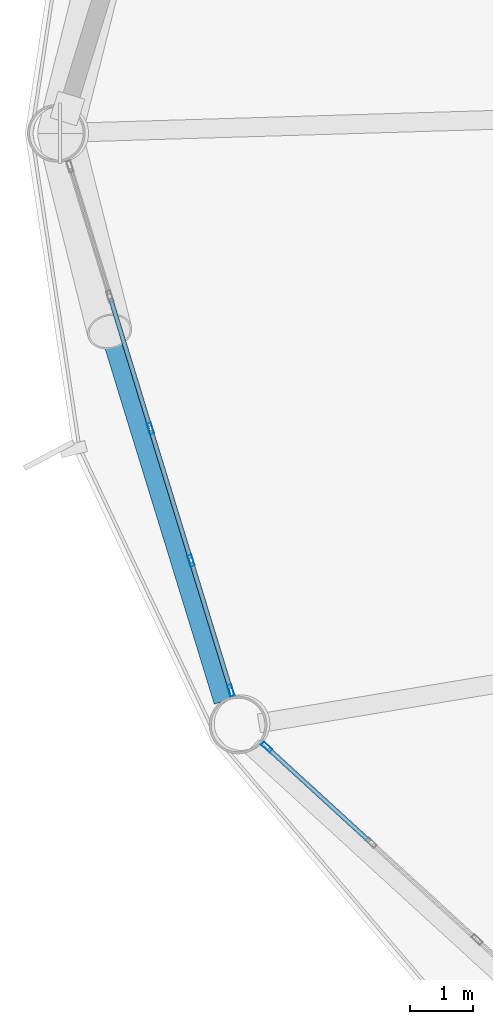
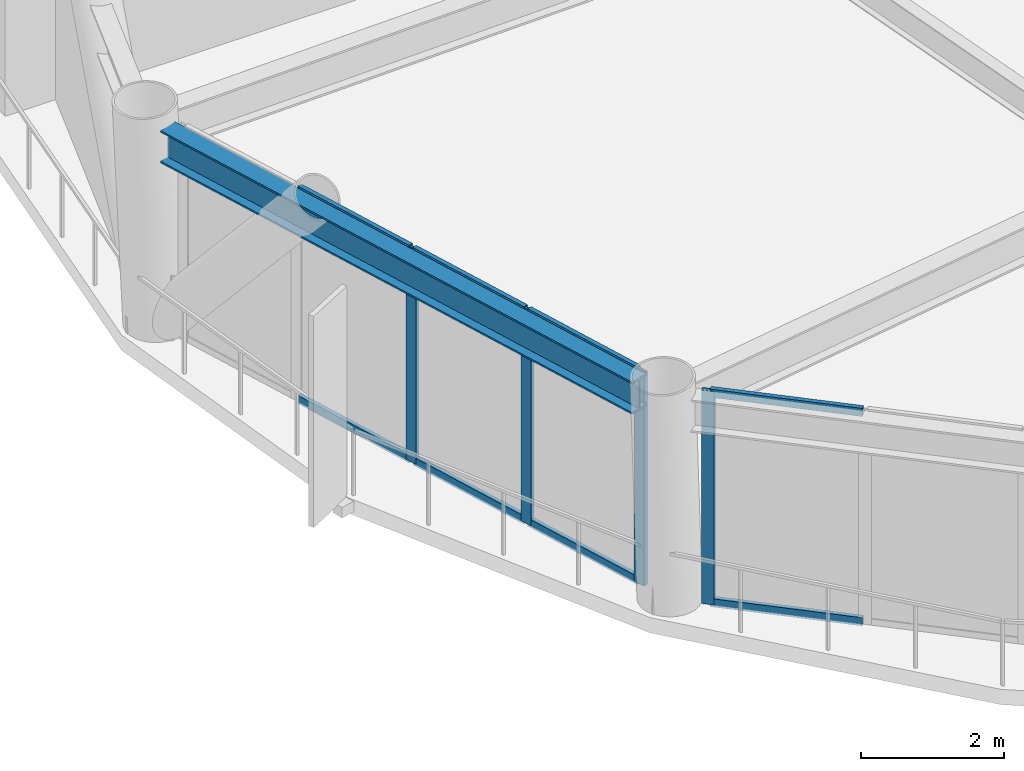
# One storey, part 5 of 25: 12 members, 1 beam, 2 elements without a shape of their own.
"""IFC4 building model written with IfcOpenShell, lengths in metres."""

from ifc_helpers import new_model, si_unit, direction, frame, origin, origin_2d, place, context, subcontext, project, spatial, hollow_rectangle, i_section, extrude, material, layer, layer_set, material_profile, profile_set, type_object, element, aggregate, save


model = new_model("IFC4")

# Units and contexts
model_context = context("Model", 3, precision=1e-05, world=origin(), true_north=direction((0.0, 1.0)))
body_context = subcontext(model_context, "Body", "Model", "MODEL_VIEW")
ifc_project = project(units=[si_unit("LENGTHUNIT", "METRE"), si_unit("AREAUNIT", "SQUARE_METRE"), si_unit("VOLUMEUNIT", "CUBIC_METRE"), si_unit("PLANEANGLEUNIT", "RADIAN"), si_unit("MASSUNIT", "GRAM", prefix="KILO")], contexts=[model_context])

# Site, building, storey
site_placement = place(None, origin())
site = spatial("IfcSite", under=ifc_project, at=site_placement, CompositionType="ELEMENT")
building_placement = place(site_placement, origin())
building = spatial("IfcBuilding", under=site, at=building_placement, Name="Varnakorn Sky Granary", CompositionType="ELEMENT")
storey_placement = place(building_placement, frame((0.0, 0.0, 39.300048828125)))
storey = spatial("IfcBuildingStorey", under=building, at=storey_placement, Name="L09", CompositionType="ELEMENT", Elevation=39.300048828125)

# Beam
ifc_material_1 = material(Name="Steel S355JR", Category="steel")
ifc_material_profile_1 = material_profile(ifc_material_1, i_section(OverallWidth=0.300048828125, OverallDepth=0.550048828125, WebThickness=0.014892578125, FlangeThickness=0.029052734375, at=origin_2d()), Name="HE 550 B")
ifc_profile_set_1 = profile_set([ifc_material_profile_1], Name="Steel S355JR")
beam_type = type_object("IfcBeamType", Name="BM-SPD-Z1", PredefinedType="SPANDREL", material=ifc_profile_set_1)
beam_placement = place(storey_placement, frame((-22.152099609375, -0.422607421875, 3.364990234375), z_axis=(0.293719576527, -0.955891631078, 0.0), x_axis=(0.955891631078, 0.293719576527, 0.0)))
element("IfcBeam", 1, at=beam_placement, inside=storey, type_object=beam_type, Name="Perimeter Spandrel Ring Beam RB07 L09", PredefinedType="SPANDREL", context=body_context, shape_type="SweptSolid", body=[
    extrude(i_section(OverallWidth=0.300048828125, OverallDepth=0.550048828125, WebThickness=0.014892578125, FlangeThickness=0.029052734375, at=origin_2d()), origin(), (0.0, 0.0, 1.0), 8.99365234375),
])

# Curtain wall, members
ifc_material_2 = material(Name="Anodised Bronze Aluminium Alloy 6063-T6", Category="aluminium")
ifc_layer = layer(ifc_material_2, 0.18994140625, Name="Anodised Bronze Aluminium Alloy 6063-T6")
ifc_layer_set = layer_set([ifc_layer], Name="Anodised Bronze Aluminium Alloy 6063-T6")
curtain_wall_type = type_object("IfcCurtainWallType", Name="CW-FRM-1", PredefinedType="USERDEFINED", material=ifc_layer_set)
curtain_wall_1_placement = place(storey_placement, origin())
curtain_wall_1 = element("IfcCurtainWall", 2, at=curtain_wall_1_placement, inside=storey, type_object=curtain_wall_type, Name="Unitised Curtain Wall CW3 CW-L09-B07", ObjectType="CURTAIN WALL", PredefinedType="USERDEFINED")
ifc_material_profile_2 = material_profile(ifc_material_2, hollow_rectangle(XDim=0.070068359375, YDim=0.18505859375, WallThickness=0.00390625, at=origin_2d()), Name="ALU MULL 70x185")
ifc_profile_set_2 = profile_set([ifc_material_profile_2], Name="Anodised Bronze Aluminium Alloy 6063-T6")
member_type_1 = type_object("IfcMemberType", Name="CW-FRM-1-MULL", PredefinedType="MULLION", material=ifc_profile_set_2)
member_1_placement = place(storey_placement, frame((-19.390380859375, -8.846435546875, 0.0), z_axis=(0.0, 0.0, 1.0), x_axis=(-0.955970574446, -0.293462537291, 0.0)))
member_1 = element("IfcMember", 3, at=member_1_placement, type_object=member_type_1, Name="CW3 mullion 1", PredefinedType="MULLION", context=body_context, shape_type="SweptSolid", body=[
    extrude(hollow_rectangle(XDim=0.070068359375, YDim=0.18505859375, WallThickness=0.00390625, at=origin_2d()), origin(), (0.0, 0.0, 1.0), 3.639892578125),
])
member_2_placement = place(storey_placement, frame((-20.023681640625, -6.783447265625, 0.0), z_axis=(0.0, 0.0, 1.0), x_axis=(-0.955970574446, -0.293462537291, 0.0)))
member_2 = element("IfcMember", 4, at=member_2_placement, type_object=member_type_1, Name="CW3 mullion 2", PredefinedType="MULLION", context=body_context, shape_type="SweptSolid", body=[
    extrude(hollow_rectangle(XDim=0.070068359375, YDim=0.18505859375, WallThickness=0.00390625, at=origin_2d()), origin(), (0.0, 0.0, 1.0), 3.639892578125),
])
member_3_placement = place(storey_placement, frame((-20.667236328125, -4.68701171875, 0.0), z_axis=(0.0, 0.0, 1.0), x_axis=(-0.955970574446, -0.293462537291, 0.0)))
member_3 = element("IfcMember", 5, at=member_3_placement, type_object=member_type_1, Name="CW3 mullion 3", PredefinedType="MULLION", context=body_context, shape_type="SweptSolid", body=[
    extrude(hollow_rectangle(XDim=0.070068359375, YDim=0.18505859375, WallThickness=0.00390625, at=origin_2d()), origin(), (0.0, 0.0, 1.0), 3.639892578125),
])

# Curtain wall, member
curtain_wall_2_placement = place(storey_placement, origin())
curtain_wall_2 = element("IfcCurtainWall", 6, at=curtain_wall_2_placement, inside=storey, type_object=curtain_wall_type, Name="Unitised Curtain Wall CW3 CW-L09-B08", ObjectType="CURTAIN WALL", PredefinedType="USERDEFINED")
member_4_placement = place(storey_placement, frame((-18.8212890625, -9.746826171875, 0.0), z_axis=(0.0, 0.0, 1.0), x_axis=(-0.675388643465, -0.73746198565, 0.0)))
member_4 = element("IfcMember", 7, at=member_4_placement, type_object=member_type_1, Name="CW3 mullion 5", PredefinedType="MULLION", context=body_context, shape_type="SweptSolid", body=[
    extrude(hollow_rectangle(XDim=0.070068359375, YDim=0.18505859375, WallThickness=0.00390625, at=origin_2d()), origin(), (0.0, 0.0, 1.0), 3.639892578125),
])

# Member
ifc_material_profile_3 = material_profile(ifc_material_2, hollow_rectangle(XDim=0.070068359375, YDim=0.139892578125, WallThickness=0.00341796875, at=origin_2d()), Name="ALU TRAN 70x140")
ifc_profile_set_3 = profile_set([ifc_material_profile_3], Name="Anodised Bronze Aluminium Alloy 6063-T6")
member_type_2 = type_object("IfcMemberType", Name="CW-FRM-1-TRAN", PredefinedType="USERDEFINED", material=ifc_profile_set_3)
member_5_placement = place(storey_placement, frame((-19.400634765625, -8.81298828125, 0.034912109375), z_axis=(-0.293477787544, 0.955965892811, 0.0), x_axis=(-0.955965892811, -0.293477787544, 0.0)))
member_5 = element("IfcMember", 8, at=member_5_placement, type_object=member_type_2, Name="CW3 transom 1.1", ObjectType="TRANSOM", PredefinedType="USERDEFINED", context=body_context, shape_type="SweptSolid", body=[
    extrude(hollow_rectangle(XDim=0.070068359375, YDim=0.139892578125, WallThickness=0.00341796875, at=origin_2d()), origin(), (0.0, 0.0, 1.0), 2.088134765625),
])

member_6_placement = place(storey_placement, frame((-19.400634765625, -8.81298828125, 3.60498046875), z_axis=(-0.293477787544, 0.955965892811, 0.0), x_axis=(-0.955965892811, -0.293477787544, 0.0)))
member_6 = element("IfcMember", 9, at=member_6_placement, type_object=member_type_2, Name="CW3 transom 1.2", ObjectType="TRANSOM", PredefinedType="USERDEFINED", context=body_context, shape_type="SweptSolid", body=[
    extrude(hollow_rectangle(XDim=0.070068359375, YDim=0.139892578125, WallThickness=0.00341796875, at=origin_2d()), origin(), (0.0, 0.0, 1.0), 2.088134765625),
])

member_7_placement = place(storey_placement, frame((-20.033935546875, -6.75, 0.034912109375), z_axis=(-0.293471643452, 0.955967779002, 0.0), x_axis=(-0.955967779002, -0.293471643452, 0.0)))
member_7 = element("IfcMember", 10, at=member_7_placement, type_object=member_type_2, Name="CW3 transom 2.1", ObjectType="TRANSOM", PredefinedType="USERDEFINED", context=body_context, shape_type="SweptSolid", body=[
    extrude(hollow_rectangle(XDim=0.070068359375, YDim=0.139892578125, WallThickness=0.00341796875, at=origin_2d()), origin(), (0.0, 0.0, 1.0), 2.123046875),
])

member_8_placement = place(storey_placement, frame((-20.033935546875, -6.75, 3.60498046875), z_axis=(-0.293471643452, 0.955967779002, 0.0), x_axis=(-0.955967779002, -0.293471643452, 0.0)))
member_8 = element("IfcMember", 11, at=member_8_placement, type_object=member_type_2, Name="CW3 transom 2.2", ObjectType="TRANSOM", PredefinedType="USERDEFINED", context=body_context, shape_type="SweptSolid", body=[
    extrude(hollow_rectangle(XDim=0.070068359375, YDim=0.139892578125, WallThickness=0.00341796875, at=origin_2d()), origin(), (0.0, 0.0, 1.0), 2.123046875),
])

member_9_placement = place(storey_placement, frame((-20.677490234375, -4.653564453125, 0.034912109375), z_axis=(-0.293471643452, 0.955967779002, 0.0), x_axis=(-0.955967779002, -0.293471643452, 0.0)))
member_9 = element("IfcMember", 12, at=member_9_placement, type_object=member_type_2, Name="CW3 transom 3.1", ObjectType="TRANSOM", PredefinedType="USERDEFINED", context=body_context, shape_type="SweptSolid", body=[
    extrude(hollow_rectangle(XDim=0.070068359375, YDim=0.139892578125, WallThickness=0.00341796875, at=origin_2d()), origin(), (0.0, 0.0, 1.0), 2.123046875),
])

member_10_placement = place(storey_placement, frame((-20.677490234375, -4.653564453125, 3.60498046875), z_axis=(-0.293471643452, 0.955967779002, 0.0), x_axis=(-0.955967779002, -0.293471643452, 0.0)))
member_10 = element("IfcMember", 13, at=member_10_placement, type_object=member_type_2, Name="CW3 transom 3.2", ObjectType="TRANSOM", PredefinedType="USERDEFINED", context=body_context, shape_type="SweptSolid", body=[
    extrude(hollow_rectangle(XDim=0.070068359375, YDim=0.139892578125, WallThickness=0.00341796875, at=origin_2d()), origin(), (0.0, 0.0, 1.0), 2.123046875),
])

aggregate(curtain_wall_1, [member_1, member_2, member_3, member_5, member_6, member_7, member_8, member_9, member_10])

member_11_placement = place(storey_placement, frame((-17.1904296875, -11.240478515625, 0.034912109375), z_axis=(-0.737442766501, 0.6754096284, 0.0), x_axis=(-0.6754096284, -0.737442766501, 0.0)))
member_11 = element("IfcMember", 14, at=member_11_placement, type_object=member_type_2, Name="CW3 transom 4.1", ObjectType="TRANSOM", PredefinedType="USERDEFINED", context=body_context, shape_type="SweptSolid", body=[
    extrude(hollow_rectangle(XDim=0.070068359375, YDim=0.139892578125, WallThickness=0.00341796875, at=origin_2d()), origin(), (0.0, 0.0, 1.0), 2.176513671875),
])

member_12_placement = place(storey_placement, frame((-17.1904296875, -11.240478515625, 3.60498046875), z_axis=(-0.737442766501, 0.6754096284, 0.0), x_axis=(-0.6754096284, -0.737442766501, 0.0)))
member_12 = element("IfcMember", 15, at=member_12_placement, type_object=member_type_2, Name="CW3 transom 4.2", ObjectType="TRANSOM", PredefinedType="USERDEFINED", context=body_context, shape_type="SweptSolid", body=[
    extrude(hollow_rectangle(XDim=0.070068359375, YDim=0.139892578125, WallThickness=0.00341796875, at=origin_2d()), origin(), (0.0, 0.0, 1.0), 2.176513671875),
])

aggregate(curtain_wall_2, [member_4, member_11, member_12])

save(model, "model.ifc")
